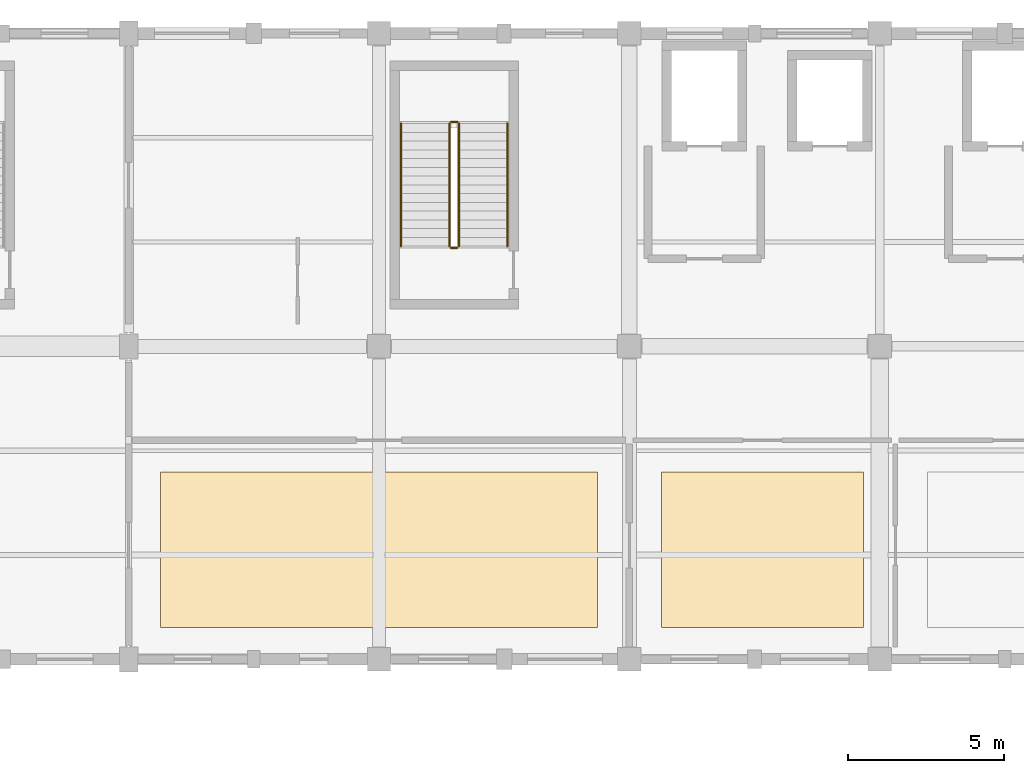
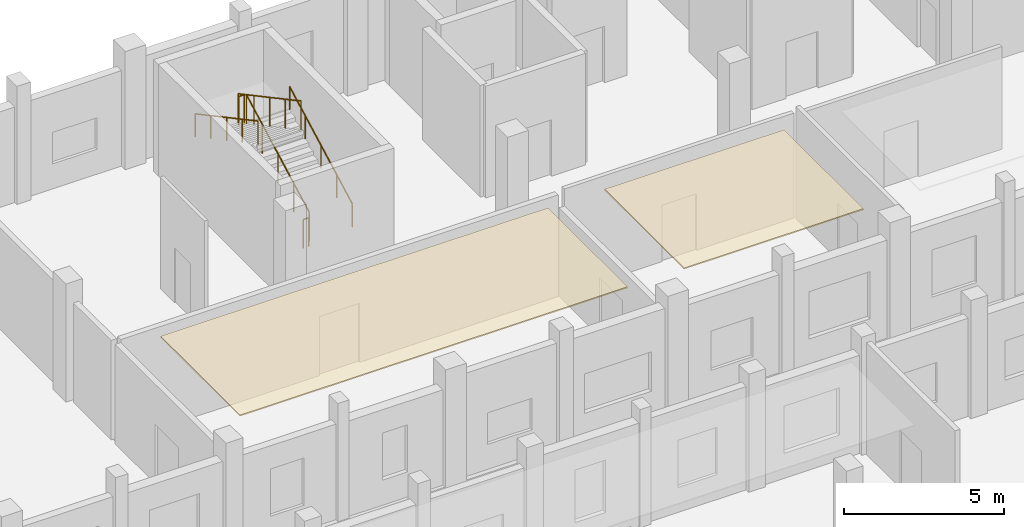
# One storey, part 182 of 183: 6 railings, 2 coverings.
"""IFC4 building model written with IfcOpenShell, lengths in metres."""

from ifc_helpers import new_model, si_unit, direction, frame, origin, origin_2d, place, context, subcontext, project, spatial, polyline, circle, outline, extrude, material, layer, layer_set, type_object, element, save


model = new_model("IFC4")

# Units and contexts
model_context = context("Model", 3, precision=1e-05, world=origin(), true_north=direction((0.0, 1.0)))
body_context = subcontext(model_context, "Body", "Model", "MODEL_VIEW")
ifc_project = project(units=[si_unit("LENGTHUNIT", "METRE"), si_unit("AREAUNIT", "SQUARE_METRE"), si_unit("VOLUMEUNIT", "CUBIC_METRE"), si_unit("PLANEANGLEUNIT", "RADIAN"), si_unit("MASSUNIT", "GRAM", prefix="KILO")], contexts=[model_context])

# Site, building, storey
site_placement = place(None, origin())
site = spatial("IfcSite", under=ifc_project, at=site_placement, CompositionType="ELEMENT")
building_placement = place(site_placement, origin())
building = spatial("IfcBuilding", under=site, at=building_placement, Name="Luwemba Playhouse", CompositionType="ELEMENT")
storey_placement = place(building_placement, frame((0.0, 0.0, 4.800048828125)))
storey = spatial("IfcBuildingStorey", under=building, at=storey_placement, Name="L01", CompositionType="ELEMENT", Elevation=4.800048828125)

# Coverings
ifc_material_1 = material(Name="Perforated acoustic gypsum and timber baffle ceiling", Category="wood")
ifc_layer = layer(ifc_material_1, 0.044921875)
ifc_layer_set = layer_set([ifc_layer], Name="Perforated acoustic gypsum and timber baffle ceiling")
covering_type = type_object("IfcCoveringType", Name="COV-CEIL-AC", PredefinedType="CEILING", material=ifc_layer_set)
covering_1_placement = place(storey_placement, frame((0.0, 0.0, 4.204833984375)))
element("IfcCovering", 1, at=covering_1_placement, inside=storey, type_object=covering_type, Name="L01 Ensemble Music Practice Suites acoustic ceiling cloud", PredefinedType="CEILING", context=body_context, shape_type="SweptSolid", body=[
    extrude(outline(polyline([(133.02001953125, 96.02001953125), (146.97998046875, 96.02001953125), (146.97998046875, 100.97998046875), (133.02001953125, 100.97998046875), (133.02001953125, 96.02001953125)])), origin(), (0.0, 0.0, 1.0), 0.045166015625),
])
covering_2_placement = place(storey_placement, frame((0.0, 0.0, 4.204833984375)))
element("IfcCovering", 2, at=covering_2_placement, inside=storey, type_object=covering_type, Name="L01 Musicians Conservatory Lounge acoustic ceiling cloud", PredefinedType="CEILING", context=body_context, shape_type="SweptSolid", body=[
    extrude(outline(polyline([(149.02001953125, 96.02001953125), (155.47998046875, 96.02001953125), (155.47998046875, 100.97998046875), (149.02001953125, 100.97998046875), (149.02001953125, 96.02001953125)])), origin(), (0.0, 0.0, 1.0), 0.045166015625),
])

# Railings
ifc_material_2 = material(Name="Painted wrought-iron gallery balustrade", Category="steel")
railing_type_1 = type_object("IfcRailingType", Name="RLG-BAL-INT", PredefinedType="BALUSTRADE", material=ifc_material_2)
railing_1_placement = place(storey_placement, frame((142.550048828125, 108.199951171875, 0.14990234375)))
element("IfcRailing", 3, at=railing_1_placement, inside=storey, type_object=railing_type_1, Name="L01 ST-09 stair guard 1", PredefinedType="BALUSTRADE", context=body_context, shape_type="SweptSolid", body=[
    extrude(circle(Radius=0.02392578125, at=origin_2d()), frame((0.0, 0.0, 1.09619140625), z_axis=(0.0, 0.881479153919, 0.472222935917), x_axis=(-1.0, 0.0, 0.0)), (0.0, 0.0, 1.0), 4.447265625),
    extrude(circle(Radius=0.02099609375, at=origin_2d()), origin(), (0.0, 0.0, 1.0), 1.072021484375),
    extrude(circle(Radius=0.02099609375, at=origin_2d()), frame((0.0, 0.97998046875, 0.52490234375)), (0.0, 0.0, 1.0), 1.072021484375),
    extrude(circle(Radius=0.02099609375, at=origin_2d()), frame((0.0, 1.9599609375, 1.050048828125)), (0.0, 0.0, 1.0), 1.072021484375),
    extrude(circle(Radius=0.02099609375, at=origin_2d()), frame((0.0, 2.940185546875, 1.5751953125)), (0.0, 0.0, 1.0), 1.072021484375),
    extrude(circle(Radius=0.02099609375, at=origin_2d()), frame((0.0, 3.920166015625, 2.10009765625)), (0.0, 0.0, 1.0), 1.072021484375),
])
railing_2_placement = place(storey_placement, frame((142.5, 112.169921875, 2.25)))
element("IfcRailing", 4, at=railing_2_placement, inside=storey, type_object=railing_type_1, Name="L01 ST-09 stair guard 2", PredefinedType="BALUSTRADE", context=body_context, shape_type="SweptSolid", body=[
    extrude(circle(Radius=0.02392578125, at=origin_2d()), frame((0.0, 0.0, 1.09619140625), z_axis=(-1.0, 0.0, 0.0), x_axis=(0.0, -1.0, 0.0)), (0.0, 0.0, 1.0), 0.199951171875),
    extrude(circle(Radius=0.02099609375, at=origin_2d()), origin(), (0.0, 0.0, 1.0), 1.072021484375),
    extrude(circle(Radius=0.02099609375, at=origin_2d()), frame((-0.199951171875, 0.0, 0.0)), (0.0, 0.0, 1.0), 1.072021484375),
])
railing_3_placement = place(storey_placement, frame((142.25, 112.1201171875, 2.39990234375)))
element("IfcRailing", 5, at=railing_3_placement, inside=storey, type_object=railing_type_1, Name="L01 ST-09 stair guard 3", PredefinedType="BALUSTRADE", context=body_context, shape_type="SweptSolid", body=[
    extrude(circle(Radius=0.02392578125, at=origin_2d()), frame((0.0, 0.0, 1.09619140625), z_axis=(0.0, -0.881479153919, 0.472222935917), x_axis=(1.0, 0.0, 0.0)), (0.0, 0.0, 1.0), 4.447265625),
    extrude(circle(Radius=0.02099609375, at=origin_2d()), origin(), (0.0, 0.0, 1.0), 1.072021484375),
    extrude(circle(Radius=0.02099609375, at=origin_2d()), frame((0.0, -0.97998046875, 0.52490234375)), (0.0, 0.0, 1.0), 1.072021484375),
    extrude(circle(Radius=0.02099609375, at=origin_2d()), frame((0.0, -1.9599609375, 1.050048828125)), (0.0, 0.0, 1.0), 1.072021484375),
    extrude(circle(Radius=0.02099609375, at=origin_2d()), frame((0.0, -2.940185546875, 1.5751953125)), (0.0, 0.0, 1.0), 1.072021484375),
    extrude(circle(Radius=0.02099609375, at=origin_2d()), frame((0.0, -3.920166015625, 2.10009765625)), (0.0, 0.0, 1.0), 1.072021484375),
])
railing_4_placement = place(storey_placement, frame((142.5, 108.14990234375, 0.0)))
element("IfcRailing", 6, at=railing_4_placement, inside=storey, type_object=railing_type_1, Name="L01 ST-09 stair guard 4", PredefinedType="BALUSTRADE", context=body_context, shape_type="SweptSolid", body=[
    extrude(circle(Radius=0.02392578125, at=origin_2d()), frame((0.0, 0.0, 1.09619140625), z_axis=(-1.0, 0.0, 0.0), x_axis=(0.0, -1.0, 0.0)), (0.0, 0.0, 1.0), 0.199951171875),
    extrude(circle(Radius=0.02099609375, at=origin_2d()), origin(), (0.0, 0.0, 1.0), 1.072021484375),
    extrude(circle(Radius=0.02099609375, at=origin_2d()), frame((-0.199951171875, 0.0, 0.0)), (0.0, 0.0, 1.0), 1.072021484375),
])
ifc_material_3 = material(Name="Hardwood and bronze handrail", Category="wood")
railing_type_2 = type_object("IfcRailingType", Name="RLG-HR-INT", PredefinedType="HANDRAIL", material=ifc_material_3)
railing_5_placement = place(storey_placement, frame((144.10009765625, 108.199951171875, 0.14990234375)))
element("IfcRailing", 7, at=railing_5_placement, inside=storey, type_object=railing_type_2, Name="L01 ST-09 stair handrail 1", PredefinedType="HANDRAIL", context=body_context, shape_type="SweptSolid", body=[
    extrude(circle(Radius=0.02392578125, at=origin_2d()), frame((0.0, 0.0, 0.8759765625), z_axis=(0.0, 0.881479153919, 0.472222935917), x_axis=(-1.0, 0.0, 0.0)), (0.0, 0.0, 1.0), 4.447265625),
    extrude(circle(Radius=0.02099609375, at=origin_2d()), origin(), (0.0, 0.0, 1.0), 0.851806640625),
    extrude(circle(Radius=0.02099609375, at=origin_2d()), frame((0.0, 0.97998046875, 0.52490234375)), (0.0, 0.0, 1.0), 0.851806640625),
    extrude(circle(Radius=0.02099609375, at=origin_2d()), frame((0.0, 1.9599609375, 1.050048828125)), (0.0, 0.0, 1.0), 0.851806640625),
    extrude(circle(Radius=0.02099609375, at=origin_2d()), frame((0.0, 2.940185546875, 1.5751953125)), (0.0, 0.0, 1.0), 0.851806640625),
    extrude(circle(Radius=0.02099609375, at=origin_2d()), frame((0.0, 3.920166015625, 2.10009765625)), (0.0, 0.0, 1.0), 0.851806640625),
])
railing_6_placement = place(storey_placement, frame((140.699951171875, 112.1201171875, 2.39990234375)))
element("IfcRailing", 8, at=railing_6_placement, inside=storey, type_object=railing_type_2, Name="L01 ST-09 stair handrail 2", PredefinedType="HANDRAIL", context=body_context, shape_type="SweptSolid", body=[
    extrude(circle(Radius=0.02392578125, at=origin_2d()), frame((0.0, 0.0, 0.8759765625), z_axis=(0.0, -0.881479153919, 0.472222935917), x_axis=(1.0, 0.0, 0.0)), (0.0, 0.0, 1.0), 4.447265625),
    extrude(circle(Radius=0.02099609375, at=origin_2d()), origin(), (0.0, 0.0, 1.0), 0.851806640625),
    extrude(circle(Radius=0.02099609375, at=origin_2d()), frame((0.0, -0.97998046875, 0.52490234375)), (0.0, 0.0, 1.0), 0.851806640625),
    extrude(circle(Radius=0.02099609375, at=origin_2d()), frame((0.0, -1.9599609375, 1.050048828125)), (0.0, 0.0, 1.0), 0.851806640625),
    extrude(circle(Radius=0.02099609375, at=origin_2d()), frame((0.0, -2.940185546875, 1.5751953125)), (0.0, 0.0, 1.0), 0.851806640625),
    extrude(circle(Radius=0.02099609375, at=origin_2d()), frame((0.0, -3.920166015625, 2.10009765625)), (0.0, 0.0, 1.0), 0.851806640625),
])

save(model, "model.ifc")
